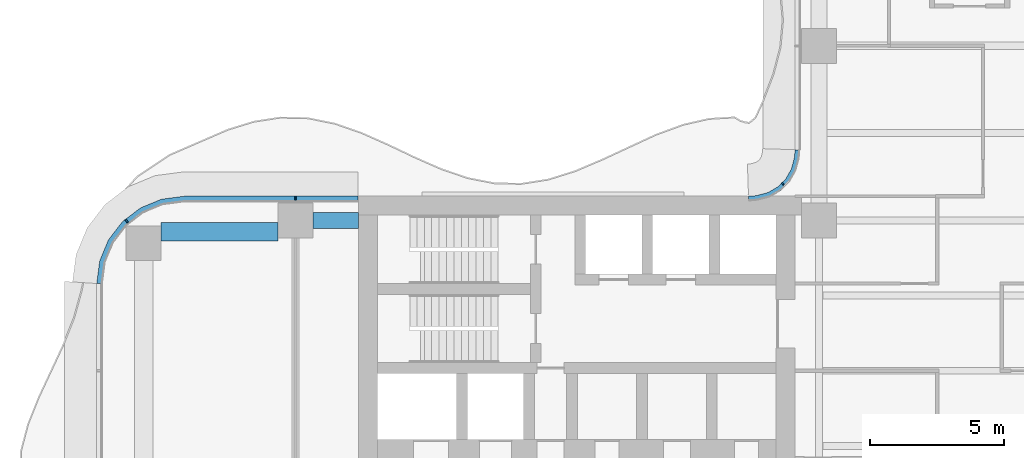
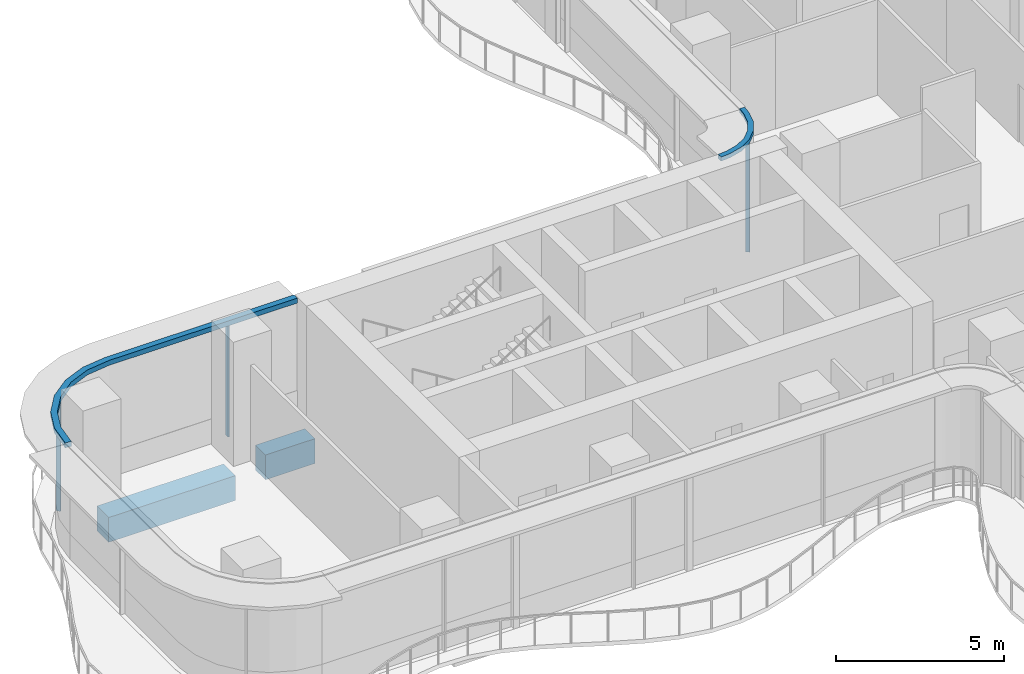
# One storey, part 8 of 22: 5 members, 2 beams, 2 elements without a shape of their own.
"""IFC4 building model written with IfcOpenShell, lengths in metres."""

from ifc_helpers import new_model, si_unit, direction, frame, origin, origin_2d, place, context, subcontext, project, spatial, polyline, rectangle, outline, extrude, source, transform, mapped, material, layer, layer_set, material_profile, profile_set, type_object, element, aggregate, save


model = new_model("IFC4")

# Units and contexts
model_context = context("Model", 3, precision=1e-05, world=origin(), true_north=direction((0.0, 1.0)))
body_context = subcontext(model_context, "Body", "Model", "MODEL_VIEW")
ifc_project = project(units=[si_unit("LENGTHUNIT", "METRE"), si_unit("AREAUNIT", "SQUARE_METRE"), si_unit("VOLUMEUNIT", "CUBIC_METRE"), si_unit("PLANEANGLEUNIT", "RADIAN"), si_unit("MASSUNIT", "GRAM", prefix="KILO")], contexts=[model_context])

# Site, building, storey
site_placement = place(None, origin())
site = spatial("IfcSite", under=ifc_project, at=site_placement, CompositionType="ELEMENT")
building_placement = place(site_placement, origin())
building = spatial("IfcBuilding", under=site, at=building_placement, Name="Trellis Farm Tower", CompositionType="ELEMENT")
storey_placement = place(building_placement, frame((0.0, 0.0, 124.5)))
storey = spatial("IfcBuildingStorey", under=building, at=storey_placement, Name="L26", CompositionType="ELEMENT", Elevation=124.5)

# Beams
ifc_material_1 = material(Name="Concrete C60/75", Category="concrete")
ifc_material_profile_1 = material_profile(ifc_material_1, rectangle(XDim=0.60009765625, YDim=0.89990234375, at=origin_2d()), Name="RC spandrel beam 600x900 C60/75")
ifc_profile_set_1 = profile_set([ifc_material_profile_1], Name="Concrete C60/75")
beam_type_1 = type_object("IfcBeamType", Name="RC spandrel beam 600x900 C60/75", PredefinedType="SPANDREL", material=ifc_profile_set_1)
shared_shape_1 = source(origin(), body_context, "Body", "SweptSolid", [
    extrude(rectangle(XDim=0.60009765625, YDim=0.89990234375, at=origin_2d()), origin(), (0.0, 0.0, 1.0), 1.699951171875),
])
beam_1_placement = place(storey_placement, frame((-24.449951171875, 5.60009765625, -0.699951171875), z_axis=(1.0, 0.0, 0.0), x_axis=(0.0, 1.0, 0.0)))
element("IfcBeam", 1, at=beam_1_placement, inside=storey, type_object=beam_type_1, Name="Girder", PredefinedType="SPANDREL", context=body_context, shape_type="MappedRepresentation", body=[
    mapped(shared_shape_1, transform((0.0, 0.0, 0.0))),
])
ifc_material_profile_2 = material_profile(ifc_material_1, rectangle(XDim=0.699951171875, YDim=0.89990234375, at=origin_2d()), Name="RC spandrel beam 700x900 C60/75")
ifc_profile_set_2 = profile_set([ifc_material_profile_2], Name="Concrete C60/75")
beam_type_2 = type_object("IfcBeamType", Name="RC spandrel beam 700x900 C60/75", PredefinedType="SPANDREL", material=ifc_profile_set_2)
shared_shape_2 = source(origin(), body_context, "Body", "SweptSolid", [
    extrude(rectangle(XDim=0.699951171875, YDim=0.89990234375, at=origin_2d()), origin(), (0.0, 0.0, 1.0), 4.35009765625),
])
beam_2_placement = place(storey_placement, frame((-30.10009765625, 5.175048828125, -0.699951171875), z_axis=(1.0, 0.0, 0.0), x_axis=(0.0, 1.0, 0.0)))
element("IfcBeam", 2, at=beam_2_placement, inside=storey, type_object=beam_type_2, Name="Girder", PredefinedType="SPANDREL", context=body_context, shape_type="MappedRepresentation", body=[
    mapped(shared_shape_2, transform((0.0, 0.0, 0.0))),
])

# Curtain wall, members
ifc_material_2 = material(Name="Aluminium and glass curtain wall", Category="aluminium")
ifc_layer_1 = layer(ifc_material_2, 0.18994140625)
ifc_layer_set_1 = layer_set([ifc_layer_1], Name="RIBBON CURTAIN WALL CW1")
curtain_wall_type_1 = type_object("IfcCurtainWallType", Name="RIBBON CURTAIN WALL CW1", PredefinedType="NOTDEFINED", material=ifc_layer_set_1)
placement = place(storey_placement, origin())
curtain_wall_1 = element("IfcCurtainWall", 3, at=placement, inside=storey, type_object=curtain_wall_type_1, Name="CW1 013", PredefinedType="NOTDEFINED")
ifc_material_3 = material(Name="Aluminium extrusion 6063-T6", Category="aluminium")
ifc_material_profile_3 = material_profile(ifc_material_3, rectangle(XDim=0.06005859375, YDim=0.14990234375, at=origin_2d()), Name="MULLION 60x150")
ifc_profile_set_3 = profile_set([ifc_material_profile_3], Name="Aluminium extrusion 6063-T6")
member_type_1 = type_object("IfcMemberType", Name="CW1 MULLION 60x150", PredefinedType="MULLION", material=ifc_profile_set_3)
shared_shape_3 = source(origin(), body_context, "Body", "SweptSolid", [
    extrude(rectangle(XDim=0.06005859375, YDim=0.14990234375, at=origin_2d()), origin(), (0.0, 0.0, 1.0), 4.070068359375),
])
member_1_placement = place(storey_placement, frame((-25.10009765625, 6.425048828125, 0.0), z_axis=(0.0, 0.0, 1.0), x_axis=(-1.0, 0.0, 0.0)))
member_1 = element("IfcMember", 4, at=member_1_placement, type_object=member_type_1, Name="MU1 013-01", PredefinedType="MULLION", context=body_context, shape_type="MappedRepresentation", body=[
    mapped(shared_shape_3, transform((0.0, 0.0, 0.0))),
])
member_2_placement = place(storey_placement, frame((-31.385498046875, 5.578369140625, 0.0), z_axis=(0.0, 0.0, 1.0), x_axis=(-0.793353340291, -0.608761429009, 0.0)))
member_2 = element("IfcMember", 5, at=member_2_placement, type_object=member_type_1, Name="MU1 013-02", PredefinedType="MULLION", context=body_context, shape_type="MappedRepresentation", body=[
    mapped(shared_shape_3, transform((0.0, 0.0, 0.0))),
])

ifc_layer_2 = layer(ifc_material_2, 0.166015625)
ifc_layer_set_2 = layer_set([ifc_layer_2], Name="WINTER GARDEN CURTAIN WALL CW3")
curtain_wall_type_2 = type_object("IfcCurtainWallType", Name="WINTER GARDEN CURTAIN WALL CW3", PredefinedType="NOTDEFINED", material=ifc_layer_set_2)
curtain_wall_2 = element("IfcCurtainWall", 6, at=placement, inside=storey, type_object=curtain_wall_type_2, Name="CW3 004", PredefinedType="NOTDEFINED")
ifc_material_profile_4 = material_profile(ifc_material_3, rectangle(XDim=0.050048828125, YDim=0.1201171875, at=origin_2d()), Name="MULLION 50x120")
ifc_profile_set_4 = profile_set([ifc_material_profile_4], Name="Aluminium extrusion 6063-T6")
member_type_2 = type_object("IfcMemberType", Name="CW3 MULLION 50x120", PredefinedType="MULLION", material=ifc_profile_set_4)
shared_shape_4 = source(origin(), body_context, "Body", "SweptSolid", [
    extrude(rectangle(XDim=0.050048828125, YDim=0.1201171875, at=origin_2d()), origin(), (0.0, 0.0, 1.0), 4.10009765625),
])
member_3_placement = place(storey_placement, frame((-6.953125, 6.953125, 0.0), z_axis=(0.0, 0.0, 1.0), x_axis=(-0.707106781187, -0.707106781187, 0.0)))
member_3 = element("IfcMember", 7, at=member_3_placement, type_object=member_type_2, Name="MU3 004-01", PredefinedType="MULLION", context=body_context, shape_type="MappedRepresentation", body=[
    mapped(shared_shape_4, transform((0.0, 0.0, 0.0))),
])
ifc_layer_3 = layer(ifc_material_3, 0.169921875)
ifc_layer_set_3 = layer_set([ifc_layer_3], Name="Aluminium extrusion 6063-T6")
member_type_3 = type_object("IfcMemberType", Name="CW3 TRANSOM 170x150", PredefinedType="USERDEFINED", material=ifc_layer_set_3)
shared_shape_5 = source(origin(), body_context, "Body", "SweptSolid", [
    extrude(outline(polyline([(-6.5, 8.2314453125), (-6.513916015625, 8.01953125), (-6.527587890625, 7.91552734375), (-6.63671875, 7.508544921875), (-6.846923828125, 7.144287109375), (-7.144287109375, 6.846923828125), (-7.508544921875, 6.63671875), (-7.91552734375, 6.527587890625), (-8.01953125, 6.513916015625), (-8.2314453125, 6.5), (-8.225830078125, 6.330078125), (-8.0029296875, 6.3447265625), (-7.88232421875, 6.360595703125), (-7.44287109375, 6.478271484375), (-7.0400390625, 6.7109375), (-6.7109375, 7.0400390625), (-6.478271484375, 7.44287109375), (-6.360595703125, 7.88232421875), (-6.3447265625, 8.0029296875), (-6.330078125, 8.225830078125), (-6.5, 8.2314453125)])), origin(), (0.0, 0.0, 1.0), 0.14990234375),
])
member_4_placement = place(storey_placement, frame((0.0, 0.0, 4.10009765625)))
member_4 = element("IfcMember", 8, at=member_4_placement, type_object=member_type_3, Name="TR3 004", ObjectType="TRANSOM", PredefinedType="USERDEFINED", context=body_context, shape_type="MappedRepresentation", body=[
    mapped(shared_shape_5, transform((0.0, 0.0, 0.0))),
])
aggregate(curtain_wall_2, [member_3, member_4])

# Member
ifc_layer_4 = layer(ifc_material_3, 0.199951171875)
ifc_layer_set_4 = layer_set([ifc_layer_4], Name="Aluminium extrusion 6063-T6")
member_type_4 = type_object("IfcMemberType", Name="CW1 TRANSOM 200x180", PredefinedType="USERDEFINED", material=ifc_layer_set_4)
shared_shape_6 = source(origin(), body_context, "Body", "SweptSolid", [
    extrude(outline(polyline([(-22.780029296875, 6.5), (-29.25, 6.5), (-30.091064453125, 6.38916015625), (-30.875, 6.064697265625), (-31.548095703125, 5.548095703125), (-32.064697265625, 4.875), (-32.38916015625, 4.091064453125), (-32.5, 3.25), (-32.300048828125, 3.23681640625), (-32.1943359375, 4.0390625), (-31.889892578125, 4.774169921875), (-31.405517578125, 5.405517578125), (-30.774169921875, 5.889892578125), (-30.0390625, 6.1943359375), (-29.23681640625, 6.300048828125), (-22.780029296875, 6.300048828125), (-22.780029296875, 6.5)])), origin(), (0.0, 0.0, 1.0), 0.179931640625),
])
member_5_placement = place(storey_placement, frame((0.0, 0.0, 4.070068359375)))
member_5 = element("IfcMember", 9, at=member_5_placement, type_object=member_type_4, Name="TR1 013", ObjectType="TRANSOM", PredefinedType="USERDEFINED", context=body_context, shape_type="MappedRepresentation", body=[
    mapped(shared_shape_6, transform((0.0, 0.0, 0.0))),
])

aggregate(curtain_wall_1, [member_1, member_2, member_5])

save(model, "model.ifc")
